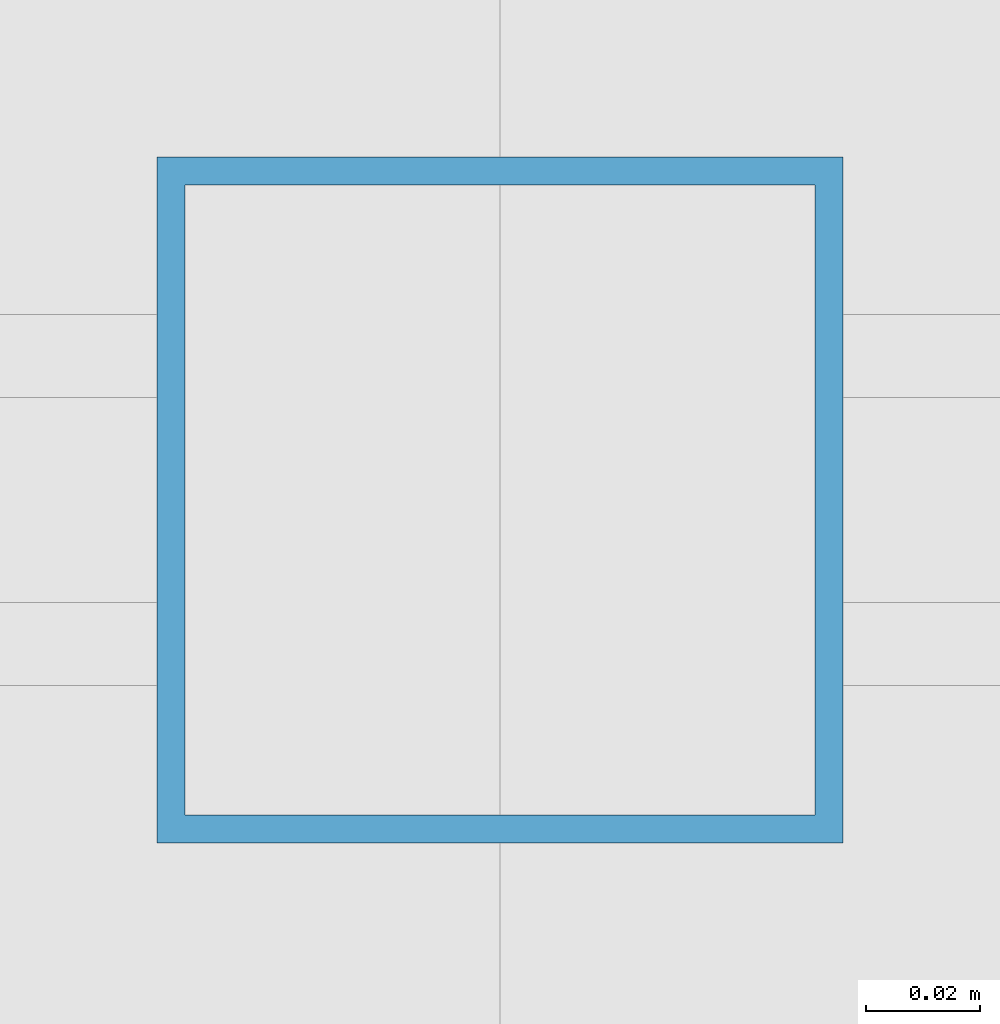
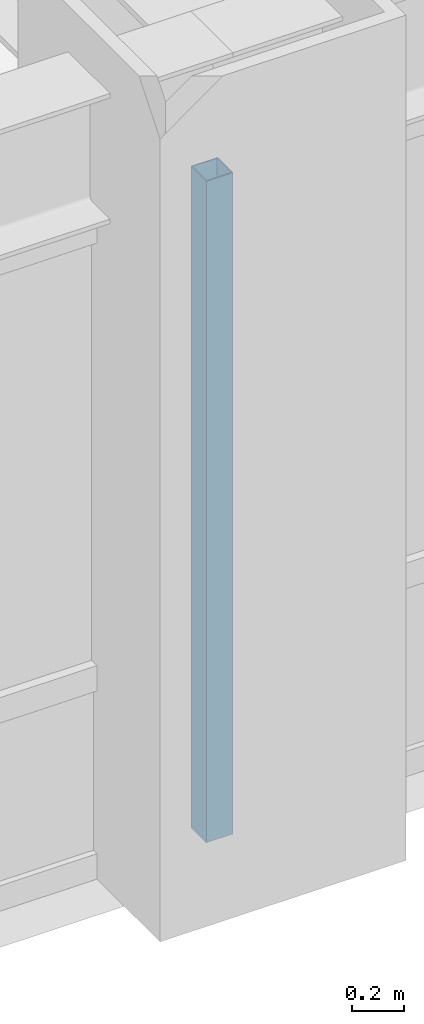
# One storey, part 4 of 24: 1 member, 1 element without a shape of its own.
"""IFC4 building model written with IfcOpenShell, lengths in metres."""

from ifc_helpers import new_model, si_unit, direction, frame, origin, origin_2d, place, context, subcontext, project, spatial, hollow_rectangle, extrude, source, transform, mapped, material, material_profile, profile_set, type_object, element, aggregate, save


model = new_model("IFC4")

# Units and contexts
model_context = context("Model", 3, precision=1e-05, world=origin(), true_north=direction((0.0, 1.0)))
body_context = subcontext(model_context, "Body", "Model", "MODEL_VIEW")
ifc_project = project(units=[si_unit("LENGTHUNIT", "METRE"), si_unit("AREAUNIT", "SQUARE_METRE"), si_unit("VOLUMEUNIT", "CUBIC_METRE"), si_unit("PLANEANGLEUNIT", "RADIAN"), si_unit("MASSUNIT", "GRAM", prefix="KILO")], contexts=[model_context])

# Site, building, storey
site_placement = place(None, origin())
site = spatial("IfcSite", under=ifc_project, at=site_placement, CompositionType="ELEMENT")
building_placement = place(site_placement, origin())
building = spatial("IfcBuilding", under=site, at=building_placement, Name="Khorayat Bourse Tower", CompositionType="ELEMENT")
storey_placement = place(building_placement, frame((0.0, 0.0, 179.10009765625)))
storey = spatial("IfcBuildingStorey", under=building, at=storey_placement, Name="L41", CompositionType="ELEMENT", Elevation=179.10009765625)

# Curtain wall, member
ifc_material = material(Name="Aluminium EN AW-6063 T6", Category="aluminium")
curtain_wall_type = type_object("IfcCurtainWallType", Name="CW-SYS-03", PredefinedType="NOTDEFINED", material=ifc_material)
curtain_wall_placement = place(storey_placement, origin())
curtain_wall = element("IfcCurtainWall", 1, at=curtain_wall_placement, inside=storey, type_object=curtain_wall_type, Name="L41 Curtain Wall CW-L41-S1", PredefinedType="NOTDEFINED")
ifc_material_profile = material_profile(ifc_material, hollow_rectangle(XDim=0.1201171875, YDim=0.1201171875, WallThickness=0.0048828125, at=origin_2d()), Name="ALU 120x120x5")
ifc_profile_set = profile_set([ifc_material_profile], Name="Aluminium EN AW-6063 T6")
member_type = type_object("IfcMemberType", Name="CWM-VERT-120", PredefinedType="MULLION", material=ifc_profile_set)
shared_shape = source(origin(), body_context, "Body", "SweptSolid", [
    extrude(hollow_rectangle(XDim=0.1201171875, YDim=0.1201171875, WallThickness=0.0048828125, at=origin_2d()), origin(), (0.0, 0.0, 1.0), 3.1298828125),
])
member_placement = place(storey_placement, frame((0.0, -30.0, 0.0), z_axis=(0.0, 0.0, 1.0), x_axis=(0.0, 1.0, 0.0)))
member = element("IfcMember", 2, at=member_placement, type_object=member_type, Name="CW-L41-S1 Vertical Mullion 2", PredefinedType="MULLION", context=body_context, shape_type="MappedRepresentation", body=[
    mapped(shared_shape, transform((0.0, 0.0, 0.0), scale=1.0)),
])
aggregate(curtain_wall, [member])

save(model, "model.ifc")
